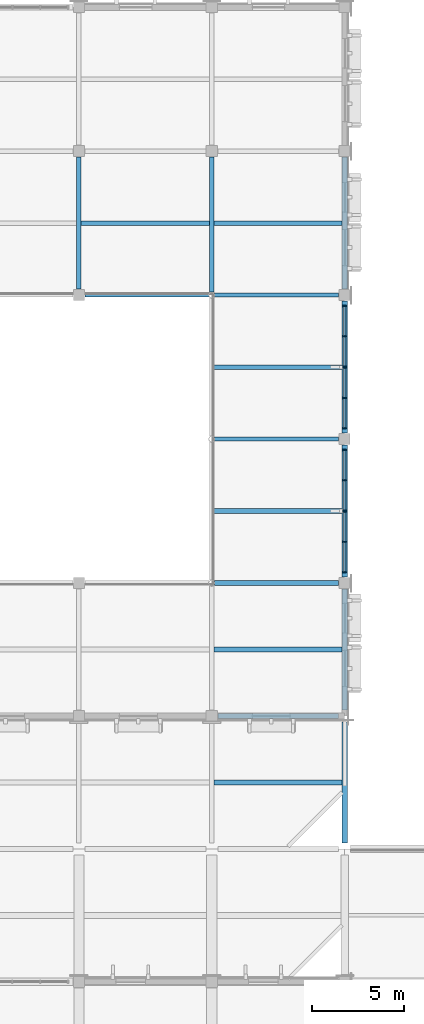
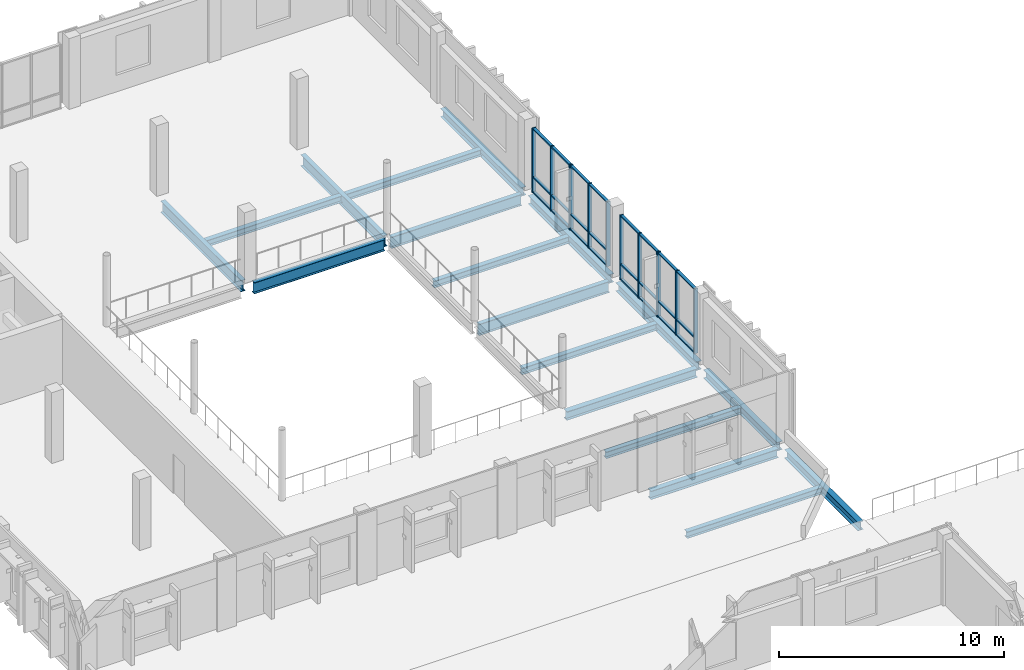
# One storey, part 15 of 64: 36 members, 18 beams, 4 elements without a shape of their own.
"""IFC4 building model written with IfcOpenShell, lengths in metres."""

from ifc_helpers import new_model, si_unit, direction, frame, origin, origin_2d, place, context, subcontext, project, spatial, rectangle, i_section, extrude, material, material_profile, profile_set, type_object, element, aggregate, save


model = new_model("IFC4")

# Units and contexts
model_context = context("Model", 3, precision=1e-05, world=origin(), true_north=direction((0.0, 1.0)))
body_context = subcontext(model_context, "Body", "Model", "MODEL_VIEW")
ifc_project = project(units=[si_unit("LENGTHUNIT", "METRE"), si_unit("AREAUNIT", "SQUARE_METRE"), si_unit("VOLUMEUNIT", "CUBIC_METRE"), si_unit("PLANEANGLEUNIT", "RADIAN"), si_unit("MASSUNIT", "GRAM", prefix="KILO")], contexts=[model_context])

# Site, building, storey
site_placement = place(None, origin())
site = spatial("IfcSite", under=ifc_project, at=site_placement, CompositionType="ELEMENT")
building_placement = place(site_placement, origin())
building = spatial("IfcBuilding", under=site, at=building_placement, Name="Vervanel Yard Central Library", CompositionType="ELEMENT")
storey_placement = place(building_placement, frame((0.0, 0.0, 8.93994140625)))
storey = spatial("IfcBuildingStorey", under=building, at=storey_placement, Name="L02", CompositionType="ELEMENT", Elevation=8.93994140625)

# Curtain wall, members
ifc_material_1 = material(Name="Thermally broken anodized aluminium 6063-T6", Category="aluminium")
curtain_wall_type = type_object("IfcCurtainWallType", Name="Atrium Courtyard Curtain Wall", PredefinedType="NOTDEFINED", material=ifc_material_1)
curtain_wall_1_placement = place(storey_placement, origin())
curtain_wall_1 = element("IfcCurtainWall", 1, at=curtain_wall_1_placement, inside=storey, type_object=curtain_wall_type, Name="L02 Atrium Courtyard Curtain Wall CWR-L02-033", PredefinedType="NOTDEFINED")
ifc_material_profile_1 = material_profile(ifc_material_1, rectangle(XDim=0.06494140625, YDim=0.18994140625, at=origin_2d()), Name="ALU 65x190", Category="aluminium")
ifc_profile_set_1 = profile_set([ifc_material_profile_1], Name="Thermally broken anodized aluminium 6063-T6")
member_type_1 = type_object("IfcMemberType", Name="Curtain Wall Primary Mullion 65x190", PredefinedType="MULLION", material=ifc_profile_set_1)
member_1_placement = place(storey_placement, frame((36.0, 43.79248046875, 0.0), z_axis=(0.0, 0.0, 1.0), x_axis=(0.0, 1.0, 0.0)))
member_1 = element("IfcMember", 2, at=member_1_placement, type_object=member_type_1, Name="CWR-L02-033 Mullion 1", PredefinedType="MULLION", context=body_context, shape_type="SweptSolid", body=[
    extrude(rectangle(XDim=0.06494140625, YDim=0.18994140625, at=origin_2d()), origin(), (0.0, 0.0, 1.0), 3.510009765625),
])
member_2_placement = place(storey_placement, frame((36.0, 45.429931640625, 0.0), z_axis=(0.0, 0.0, 1.0), x_axis=(0.0, 1.0, 0.0)))
member_2 = element("IfcMember", 3, at=member_2_placement, type_object=member_type_1, Name="CWR-L02-033 Mullion 2", PredefinedType="MULLION", context=body_context, shape_type="SweptSolid", body=[
    extrude(rectangle(XDim=0.06494140625, YDim=0.18994140625, at=origin_2d()), origin(), (0.0, 0.0, 1.0), 3.510009765625),
])
member_3_placement = place(storey_placement, frame((36.0, 47.0673828125, 0.0), z_axis=(0.0, 0.0, 1.0), x_axis=(0.0, 1.0, 0.0)))
member_3 = element("IfcMember", 4, at=member_3_placement, type_object=member_type_1, Name="CWR-L02-033 Mullion 3", PredefinedType="MULLION", context=body_context, shape_type="SweptSolid", body=[
    extrude(rectangle(XDim=0.06494140625, YDim=0.18994140625, at=origin_2d()), origin(), (0.0, 0.0, 1.0), 3.510009765625),
])

curtain_wall_2_placement = place(storey_placement, origin())
curtain_wall_2 = element("IfcCurtainWall", 5, at=curtain_wall_2_placement, inside=storey, type_object=curtain_wall_type, Name="L02 Atrium Courtyard Curtain Wall CWR-L02-034", PredefinedType="NOTDEFINED")
member_4_placement = place(storey_placement, frame((36.0, 47.132568359375, 0.0), z_axis=(0.0, 0.0, 1.0), x_axis=(0.0, 1.0, 0.0)))
member_4 = element("IfcMember", 6, at=member_4_placement, type_object=member_type_1, Name="CWR-L02-034 Mullion 1", PredefinedType="MULLION", context=body_context, shape_type="SweptSolid", body=[
    extrude(rectangle(XDim=0.06494140625, YDim=0.18994140625, at=origin_2d()), origin(), (0.0, 0.0, 1.0), 3.510009765625),
])
member_5_placement = place(storey_placement, frame((36.0, 48.77001953125, 0.0), z_axis=(0.0, 0.0, 1.0), x_axis=(0.0, 1.0, 0.0)))
member_5 = element("IfcMember", 7, at=member_5_placement, type_object=member_type_1, Name="CWR-L02-034 Mullion 2", PredefinedType="MULLION", context=body_context, shape_type="SweptSolid", body=[
    extrude(rectangle(XDim=0.06494140625, YDim=0.18994140625, at=origin_2d()), origin(), (0.0, 0.0, 1.0), 3.510009765625),
])
member_6_placement = place(storey_placement, frame((36.0, 50.407470703125, 0.0), z_axis=(0.0, 0.0, 1.0), x_axis=(0.0, 1.0, 0.0)))
member_6 = element("IfcMember", 8, at=member_6_placement, type_object=member_type_1, Name="CWR-L02-034 Mullion 3", PredefinedType="MULLION", context=body_context, shape_type="SweptSolid", body=[
    extrude(rectangle(XDim=0.06494140625, YDim=0.18994140625, at=origin_2d()), origin(), (0.0, 0.0, 1.0), 3.510009765625),
])

curtain_wall_3_placement = place(storey_placement, origin())
curtain_wall_3 = element("IfcCurtainWall", 9, at=curtain_wall_3_placement, inside=storey, type_object=curtain_wall_type, Name="L02 Atrium Courtyard Curtain Wall CWR-L02-035", PredefinedType="NOTDEFINED")
member_7_placement = place(storey_placement, frame((36.0, 51.592529296875, 0.0), z_axis=(0.0, 0.0, 1.0), x_axis=(0.0, 1.0, 0.0)))
member_7 = element("IfcMember", 10, at=member_7_placement, type_object=member_type_1, Name="CWR-L02-035 Mullion 1", PredefinedType="MULLION", context=body_context, shape_type="SweptSolid", body=[
    extrude(rectangle(XDim=0.06494140625, YDim=0.18994140625, at=origin_2d()), origin(), (0.0, 0.0, 1.0), 3.510009765625),
])
member_8_placement = place(storey_placement, frame((36.0, 53.22998046875, 0.0), z_axis=(0.0, 0.0, 1.0), x_axis=(0.0, 1.0, 0.0)))
member_8 = element("IfcMember", 11, at=member_8_placement, type_object=member_type_1, Name="CWR-L02-035 Mullion 2", PredefinedType="MULLION", context=body_context, shape_type="SweptSolid", body=[
    extrude(rectangle(XDim=0.06494140625, YDim=0.18994140625, at=origin_2d()), origin(), (0.0, 0.0, 1.0), 3.510009765625),
])
member_9_placement = place(storey_placement, frame((36.0, 54.867431640625, 0.0), z_axis=(0.0, 0.0, 1.0), x_axis=(0.0, 1.0, 0.0)))
member_9 = element("IfcMember", 12, at=member_9_placement, type_object=member_type_1, Name="CWR-L02-035 Mullion 3", PredefinedType="MULLION", context=body_context, shape_type="SweptSolid", body=[
    extrude(rectangle(XDim=0.06494140625, YDim=0.18994140625, at=origin_2d()), origin(), (0.0, 0.0, 1.0), 3.510009765625),
])

curtain_wall_4_placement = place(storey_placement, origin())
curtain_wall_4 = element("IfcCurtainWall", 13, at=curtain_wall_4_placement, inside=storey, type_object=curtain_wall_type, Name="L02 Atrium Courtyard Curtain Wall CWR-L02-036", PredefinedType="NOTDEFINED")
member_10_placement = place(storey_placement, frame((36.0, 54.9326171875, 0.0), z_axis=(0.0, 0.0, 1.0), x_axis=(0.0, 1.0, 0.0)))
member_10 = element("IfcMember", 14, at=member_10_placement, type_object=member_type_1, Name="CWR-L02-036 Mullion 1", PredefinedType="MULLION", context=body_context, shape_type="SweptSolid", body=[
    extrude(rectangle(XDim=0.06494140625, YDim=0.18994140625, at=origin_2d()), origin(), (0.0, 0.0, 1.0), 3.510009765625),
])
member_11_placement = place(storey_placement, frame((36.0, 56.570068359375, 0.0), z_axis=(0.0, 0.0, 1.0), x_axis=(0.0, 1.0, 0.0)))
member_11 = element("IfcMember", 15, at=member_11_placement, type_object=member_type_1, Name="CWR-L02-036 Mullion 2", PredefinedType="MULLION", context=body_context, shape_type="SweptSolid", body=[
    extrude(rectangle(XDim=0.06494140625, YDim=0.18994140625, at=origin_2d()), origin(), (0.0, 0.0, 1.0), 3.510009765625),
])
member_12_placement = place(storey_placement, frame((36.0, 58.20751953125, 0.0), z_axis=(0.0, 0.0, 1.0), x_axis=(0.0, 1.0, 0.0)))
member_12 = element("IfcMember", 16, at=member_12_placement, type_object=member_type_1, Name="CWR-L02-036 Mullion 3", PredefinedType="MULLION", context=body_context, shape_type="SweptSolid", body=[
    extrude(rectangle(XDim=0.06494140625, YDim=0.18994140625, at=origin_2d()), origin(), (0.0, 0.0, 1.0), 3.510009765625),
])

# Member
ifc_material_profile_2 = material_profile(ifc_material_1, rectangle(XDim=0.06494140625, YDim=0.139892578125, at=origin_2d()), Name="ALU 65x140", Category="aluminium")
ifc_profile_set_2 = profile_set([ifc_material_profile_2], Name="Thermally broken anodized aluminium 6063-T6")
member_type_2 = type_object("IfcMemberType", Name="Curtain Wall Transom 65x140", PredefinedType="NOTDEFINED", material=ifc_profile_set_2)
member_13_placement = place(storey_placement, frame((36.0, 43.824951171875, 0.032470703125), z_axis=(0.0, 1.0, 0.0), x_axis=(0.0, 0.0, 1.0)))
member_13 = element("IfcMember", 17, at=member_13_placement, type_object=member_type_2, Name="CWR-L02-033 Transom B1-T1", ObjectType="TRANSOM", PredefinedType="USERDEFINED", context=body_context, shape_type="SweptSolid", body=[
    extrude(rectangle(XDim=0.06494140625, YDim=0.139892578125, at=origin_2d()), origin(), (0.0, 0.0, 1.0), 1.572509765625),
])

member_14_placement = place(storey_placement, frame((36.0, 43.824951171875, 0.85009765625), z_axis=(0.0, 1.0, 0.0), x_axis=(0.0, 0.0, 1.0)))
member_14 = element("IfcMember", 18, at=member_14_placement, type_object=member_type_2, Name="CWR-L02-033 Transom B1-T2", ObjectType="TRANSOM", PredefinedType="USERDEFINED", context=body_context, shape_type="SweptSolid", body=[
    extrude(rectangle(XDim=0.06494140625, YDim=0.139892578125, at=origin_2d()), origin(), (0.0, 0.0, 1.0), 1.572509765625),
])

member_15_placement = place(storey_placement, frame((36.0, 43.824951171875, 3.4775390625), z_axis=(0.0, 1.0, 0.0), x_axis=(0.0, 0.0, 1.0)))
member_15 = element("IfcMember", 19, at=member_15_placement, type_object=member_type_2, Name="CWR-L02-033 Transom B1-T3", ObjectType="TRANSOM", PredefinedType="USERDEFINED", context=body_context, shape_type="SweptSolid", body=[
    extrude(rectangle(XDim=0.06494140625, YDim=0.139892578125, at=origin_2d()), origin(), (0.0, 0.0, 1.0), 1.572509765625),
])

member_16_placement = place(storey_placement, frame((36.0, 45.46240234375, 0.032470703125), z_axis=(0.0, 1.0, 0.0), x_axis=(0.0, 0.0, 1.0)))
member_16 = element("IfcMember", 20, at=member_16_placement, type_object=member_type_2, Name="CWR-L02-033 Transom B2-T1", ObjectType="TRANSOM", PredefinedType="USERDEFINED", context=body_context, shape_type="SweptSolid", body=[
    extrude(rectangle(XDim=0.06494140625, YDim=0.139892578125, at=origin_2d()), origin(), (0.0, 0.0, 1.0), 1.572509765625),
])

member_17_placement = place(storey_placement, frame((36.0, 45.46240234375, 0.85009765625), z_axis=(0.0, 1.0, 0.0), x_axis=(0.0, 0.0, 1.0)))
member_17 = element("IfcMember", 21, at=member_17_placement, type_object=member_type_2, Name="CWR-L02-033 Transom B2-T2", ObjectType="TRANSOM", PredefinedType="USERDEFINED", context=body_context, shape_type="SweptSolid", body=[
    extrude(rectangle(XDim=0.06494140625, YDim=0.139892578125, at=origin_2d()), origin(), (0.0, 0.0, 1.0), 1.572509765625),
])

member_18_placement = place(storey_placement, frame((36.0, 45.46240234375, 3.4775390625), z_axis=(0.0, 1.0, 0.0), x_axis=(0.0, 0.0, 1.0)))
member_18 = element("IfcMember", 22, at=member_18_placement, type_object=member_type_2, Name="CWR-L02-033 Transom B2-T3", ObjectType="TRANSOM", PredefinedType="USERDEFINED", context=body_context, shape_type="SweptSolid", body=[
    extrude(rectangle(XDim=0.06494140625, YDim=0.139892578125, at=origin_2d()), origin(), (0.0, 0.0, 1.0), 1.572509765625),
])

aggregate(curtain_wall_1, [member_1, member_2, member_3, member_13, member_14, member_15, member_16, member_17, member_18])

member_19_placement = place(storey_placement, frame((36.0, 47.1650390625, 0.032470703125), z_axis=(0.0, 1.0, 0.0), x_axis=(0.0, 0.0, 1.0)))
member_19 = element("IfcMember", 23, at=member_19_placement, type_object=member_type_2, Name="CWR-L02-034 Transom B1-T1", ObjectType="TRANSOM", PredefinedType="USERDEFINED", context=body_context, shape_type="SweptSolid", body=[
    extrude(rectangle(XDim=0.06494140625, YDim=0.139892578125, at=origin_2d()), origin(), (0.0, 0.0, 1.0), 1.572509765625),
])

member_20_placement = place(storey_placement, frame((36.0, 47.1650390625, 0.85009765625), z_axis=(0.0, 1.0, 0.0), x_axis=(0.0, 0.0, 1.0)))
member_20 = element("IfcMember", 24, at=member_20_placement, type_object=member_type_2, Name="CWR-L02-034 Transom B1-T2", ObjectType="TRANSOM", PredefinedType="USERDEFINED", context=body_context, shape_type="SweptSolid", body=[
    extrude(rectangle(XDim=0.06494140625, YDim=0.139892578125, at=origin_2d()), origin(), (0.0, 0.0, 1.0), 1.572509765625),
])

member_21_placement = place(storey_placement, frame((36.0, 47.1650390625, 3.4775390625), z_axis=(0.0, 1.0, 0.0), x_axis=(0.0, 0.0, 1.0)))
member_21 = element("IfcMember", 25, at=member_21_placement, type_object=member_type_2, Name="CWR-L02-034 Transom B1-T3", ObjectType="TRANSOM", PredefinedType="USERDEFINED", context=body_context, shape_type="SweptSolid", body=[
    extrude(rectangle(XDim=0.06494140625, YDim=0.139892578125, at=origin_2d()), origin(), (0.0, 0.0, 1.0), 1.572509765625),
])

member_22_placement = place(storey_placement, frame((36.0, 48.802490234375, 0.032470703125), z_axis=(0.0, 1.0, 0.0), x_axis=(0.0, 0.0, 1.0)))
member_22 = element("IfcMember", 26, at=member_22_placement, type_object=member_type_2, Name="CWR-L02-034 Transom B2-T1", ObjectType="TRANSOM", PredefinedType="USERDEFINED", context=body_context, shape_type="SweptSolid", body=[
    extrude(rectangle(XDim=0.06494140625, YDim=0.139892578125, at=origin_2d()), origin(), (0.0, 0.0, 1.0), 1.572509765625),
])

member_23_placement = place(storey_placement, frame((36.0, 48.802490234375, 0.85009765625), z_axis=(0.0, 1.0, 0.0), x_axis=(0.0, 0.0, 1.0)))
member_23 = element("IfcMember", 27, at=member_23_placement, type_object=member_type_2, Name="CWR-L02-034 Transom B2-T2", ObjectType="TRANSOM", PredefinedType="USERDEFINED", context=body_context, shape_type="SweptSolid", body=[
    extrude(rectangle(XDim=0.06494140625, YDim=0.139892578125, at=origin_2d()), origin(), (0.0, 0.0, 1.0), 1.572509765625),
])

member_24_placement = place(storey_placement, frame((36.0, 48.802490234375, 3.4775390625), z_axis=(0.0, 1.0, 0.0), x_axis=(0.0, 0.0, 1.0)))
member_24 = element("IfcMember", 28, at=member_24_placement, type_object=member_type_2, Name="CWR-L02-034 Transom B2-T3", ObjectType="TRANSOM", PredefinedType="USERDEFINED", context=body_context, shape_type="SweptSolid", body=[
    extrude(rectangle(XDim=0.06494140625, YDim=0.139892578125, at=origin_2d()), origin(), (0.0, 0.0, 1.0), 1.572509765625),
])

aggregate(curtain_wall_2, [member_4, member_5, member_6, member_19, member_20, member_21, member_22, member_23, member_24])

member_25_placement = place(storey_placement, frame((36.0, 51.625, 0.032470703125), z_axis=(0.0, 1.0, 0.0), x_axis=(0.0, 0.0, 1.0)))
member_25 = element("IfcMember", 29, at=member_25_placement, type_object=member_type_2, Name="CWR-L02-035 Transom B1-T1", ObjectType="TRANSOM", PredefinedType="USERDEFINED", context=body_context, shape_type="SweptSolid", body=[
    extrude(rectangle(XDim=0.06494140625, YDim=0.139892578125, at=origin_2d()), origin(), (0.0, 0.0, 1.0), 1.572509765625),
])

member_26_placement = place(storey_placement, frame((36.0, 51.625, 0.85009765625), z_axis=(0.0, 1.0, 0.0), x_axis=(0.0, 0.0, 1.0)))
member_26 = element("IfcMember", 30, at=member_26_placement, type_object=member_type_2, Name="CWR-L02-035 Transom B1-T2", ObjectType="TRANSOM", PredefinedType="USERDEFINED", context=body_context, shape_type="SweptSolid", body=[
    extrude(rectangle(XDim=0.06494140625, YDim=0.139892578125, at=origin_2d()), origin(), (0.0, 0.0, 1.0), 1.572509765625),
])

member_27_placement = place(storey_placement, frame((36.0, 51.625, 3.4775390625), z_axis=(0.0, 1.0, 0.0), x_axis=(0.0, 0.0, 1.0)))
member_27 = element("IfcMember", 31, at=member_27_placement, type_object=member_type_2, Name="CWR-L02-035 Transom B1-T3", ObjectType="TRANSOM", PredefinedType="USERDEFINED", context=body_context, shape_type="SweptSolid", body=[
    extrude(rectangle(XDim=0.06494140625, YDim=0.139892578125, at=origin_2d()), origin(), (0.0, 0.0, 1.0), 1.572509765625),
])

member_28_placement = place(storey_placement, frame((36.0, 53.262451171875, 0.032470703125), z_axis=(0.0, 1.0, 0.0), x_axis=(0.0, 0.0, 1.0)))
member_28 = element("IfcMember", 32, at=member_28_placement, type_object=member_type_2, Name="CWR-L02-035 Transom B2-T1", ObjectType="TRANSOM", PredefinedType="USERDEFINED", context=body_context, shape_type="SweptSolid", body=[
    extrude(rectangle(XDim=0.06494140625, YDim=0.139892578125, at=origin_2d()), origin(), (0.0, 0.0, 1.0), 1.572509765625),
])

member_29_placement = place(storey_placement, frame((36.0, 53.262451171875, 0.85009765625), z_axis=(0.0, 1.0, 0.0), x_axis=(0.0, 0.0, 1.0)))
member_29 = element("IfcMember", 33, at=member_29_placement, type_object=member_type_2, Name="CWR-L02-035 Transom B2-T2", ObjectType="TRANSOM", PredefinedType="USERDEFINED", context=body_context, shape_type="SweptSolid", body=[
    extrude(rectangle(XDim=0.06494140625, YDim=0.139892578125, at=origin_2d()), origin(), (0.0, 0.0, 1.0), 1.572509765625),
])

member_30_placement = place(storey_placement, frame((36.0, 53.262451171875, 3.4775390625), z_axis=(0.0, 1.0, 0.0), x_axis=(0.0, 0.0, 1.0)))
member_30 = element("IfcMember", 34, at=member_30_placement, type_object=member_type_2, Name="CWR-L02-035 Transom B2-T3", ObjectType="TRANSOM", PredefinedType="USERDEFINED", context=body_context, shape_type="SweptSolid", body=[
    extrude(rectangle(XDim=0.06494140625, YDim=0.139892578125, at=origin_2d()), origin(), (0.0, 0.0, 1.0), 1.572509765625),
])

aggregate(curtain_wall_3, [member_7, member_8, member_9, member_25, member_26, member_27, member_28, member_29, member_30])

member_31_placement = place(storey_placement, frame((36.0, 54.965087890625, 0.032470703125), z_axis=(0.0, 1.0, 0.0), x_axis=(0.0, 0.0, 1.0)))
member_31 = element("IfcMember", 35, at=member_31_placement, type_object=member_type_2, Name="CWR-L02-036 Transom B1-T1", ObjectType="TRANSOM", PredefinedType="USERDEFINED", context=body_context, shape_type="SweptSolid", body=[
    extrude(rectangle(XDim=0.06494140625, YDim=0.139892578125, at=origin_2d()), origin(), (0.0, 0.0, 1.0), 1.572509765625),
])

member_32_placement = place(storey_placement, frame((36.0, 54.965087890625, 0.85009765625), z_axis=(0.0, 1.0, 0.0), x_axis=(0.0, 0.0, 1.0)))
member_32 = element("IfcMember", 36, at=member_32_placement, type_object=member_type_2, Name="CWR-L02-036 Transom B1-T2", ObjectType="TRANSOM", PredefinedType="USERDEFINED", context=body_context, shape_type="SweptSolid", body=[
    extrude(rectangle(XDim=0.06494140625, YDim=0.139892578125, at=origin_2d()), origin(), (0.0, 0.0, 1.0), 1.572509765625),
])

member_33_placement = place(storey_placement, frame((36.0, 54.965087890625, 3.4775390625), z_axis=(0.0, 1.0, 0.0), x_axis=(0.0, 0.0, 1.0)))
member_33 = element("IfcMember", 37, at=member_33_placement, type_object=member_type_2, Name="CWR-L02-036 Transom B1-T3", ObjectType="TRANSOM", PredefinedType="USERDEFINED", context=body_context, shape_type="SweptSolid", body=[
    extrude(rectangle(XDim=0.06494140625, YDim=0.139892578125, at=origin_2d()), origin(), (0.0, 0.0, 1.0), 1.572509765625),
])

member_34_placement = place(storey_placement, frame((36.0, 56.6025390625, 0.032470703125), z_axis=(0.0, 1.0, 0.0), x_axis=(0.0, 0.0, 1.0)))
member_34 = element("IfcMember", 38, at=member_34_placement, type_object=member_type_2, Name="CWR-L02-036 Transom B2-T1", ObjectType="TRANSOM", PredefinedType="USERDEFINED", context=body_context, shape_type="SweptSolid", body=[
    extrude(rectangle(XDim=0.06494140625, YDim=0.139892578125, at=origin_2d()), origin(), (0.0, 0.0, 1.0), 1.572509765625),
])

member_35_placement = place(storey_placement, frame((36.0, 56.6025390625, 0.85009765625), z_axis=(0.0, 1.0, 0.0), x_axis=(0.0, 0.0, 1.0)))
member_35 = element("IfcMember", 39, at=member_35_placement, type_object=member_type_2, Name="CWR-L02-036 Transom B2-T2", ObjectType="TRANSOM", PredefinedType="USERDEFINED", context=body_context, shape_type="SweptSolid", body=[
    extrude(rectangle(XDim=0.06494140625, YDim=0.139892578125, at=origin_2d()), origin(), (0.0, 0.0, 1.0), 1.572509765625),
])

member_36_placement = place(storey_placement, frame((36.0, 56.6025390625, 3.4775390625), z_axis=(0.0, 1.0, 0.0), x_axis=(0.0, 0.0, 1.0)))
member_36 = element("IfcMember", 40, at=member_36_placement, type_object=member_type_2, Name="CWR-L02-036 Transom B2-T3", ObjectType="TRANSOM", PredefinedType="USERDEFINED", context=body_context, shape_type="SweptSolid", body=[
    extrude(rectangle(XDim=0.06494140625, YDim=0.139892578125, at=origin_2d()), origin(), (0.0, 0.0, 1.0), 1.572509765625),
])

aggregate(curtain_wall_4, [member_10, member_11, member_12, member_31, member_32, member_33, member_34, member_35, member_36])

# Beams
ifc_material_2 = material(Name="Steel ASTM A992 Grade 50", Category="steel")
ifc_material_profile_3 = material_profile(ifc_material_2, i_section(OverallWidth=0.25390625, OverallDepth=0.355712890625, WebThickness=0.010498046875, FlangeThickness=0.018310546875, at=origin_2d()), Name="W14X68", Category="steel")
ifc_profile_set_3 = profile_set([ifc_material_profile_3], Name="Steel ASTM A992 Grade 50")
beam_type_1 = type_object("IfcBeamType", Name="Steel Atrium Edge Joist W14X68", PredefinedType="JOIST", material=ifc_profile_set_3)
beam_1_placement = place(storey_placement, frame((21.714599609375, 62.699951171875, -0.462646484375), z_axis=(1.0, 0.0, 0.0), x_axis=(0.0, 1.0, 0.0)))
element("IfcBeam", 41, at=beam_1_placement, inside=storey, type_object=beam_type_1, Name="L02 Floor Joist SJ-06 Y=62.70 X=21.6-28.8", PredefinedType="JOIST", context=body_context, shape_type="SweptSolid", body=[
    extrude(i_section(OverallWidth=0.25390625, OverallDepth=0.355712890625, WebThickness=0.010498046875, FlangeThickness=0.018310546875, at=origin_2d()), origin(), (0.0, 0.0, 1.0), 6.970703125),
])
for number, where, z_axis, x_axis, name in (
    (42, (28.91455078125, 32.39990234375, -0.432861328125), (1.0, 0.0, 0.0), (0.0, 1.0, 0.0), "L02 Floor Joist SJ-06 Y=32.40 X=28.8-36.0"),
    (43, (28.91455078125, 39.60009765625, -0.462646484375), (1.0, 0.0, 0.0), (0.0, 1.0, 0.0), "L02 Floor Joist SJ-06 Y=39.60 X=28.8-36.0"),
    (44, (28.91455078125, 47.10009765625, -0.462646484375), (1.0, 0.0, 0.0), (0.0, 1.0, 0.0), "L02 Floor Joist SJ-06 Y=47.10 X=28.8-36.0"),
    (45, (28.91455078125, 54.89990234375, -0.462646484375), (1.0, 0.0, 0.0), (0.0, 1.0, 0.0), "L02 Floor Joist SJ-06 Y=54.90 X=28.8-36.0"),
    (46, (28.91455078125, 62.699951171875, -0.462646484375), (1.0, 0.0, 0.0), (0.0, 1.0, 0.0), "L02 Floor Joist SJ-06 Y=62.70 X=28.8-36.0"),
):
    element("IfcBeam", number, at=place(storey_placement, frame(where, z_axis=z_axis, x_axis=x_axis)), inside=storey, type_object=beam_type_1, Name=name, PredefinedType="JOIST", context=body_context, shape_type="SweptSolid", body=[
        extrude(i_section(OverallWidth=0.25390625, OverallDepth=0.355712890625, WebThickness=0.010498046875, FlangeThickness=0.018310546875, at=origin_2d()), origin(), (0.0, 0.0, 1.0), 6.9443359375),
    ])
ifc_material_profile_4 = material_profile(ifc_material_2, i_section(OverallWidth=0.22900390625, OverallDepth=0.612060546875, WebThickness=0.011962890625, FlangeThickness=0.01953125, at=origin_2d()), Name="W24X84", Category="steel")
ifc_profile_set_4 = profile_set([ifc_material_profile_4], Name="Steel ASTM A992 Grade 50")
beam_type_2 = type_object("IfcBeamType", Name="Steel Primary Girder W24X84", PredefinedType="BEAM", material=ifc_profile_set_4)
for number, where, z_axis, x_axis, name in (
    (47, (28.9619140625, 51.0, -0.591064453125), (1.0, 0.0, 0.0), (0.0, 1.0, 0.0), "L02 Girder SB-01 Y=51.0 X=28.8-36.0"),
    (48, (21.925048828125, 58.800048828125, -0.591064453125), (1.0, 0.0, 0.0), (0.0, 1.0, 0.0), "L02 Girder SB-01 Y=58.8 X=21.6-28.8"),
    (49, (28.9619140625, 58.800048828125, -0.591064453125), (1.0, 0.0, 0.0), (0.0, 1.0, 0.0), "L02 Girder SB-01 Y=58.8 X=28.8-36.0"),
):
    element("IfcBeam", number, at=place(storey_placement, frame(where, z_axis=z_axis, x_axis=x_axis)), inside=storey, type_object=beam_type_2, Name=name, PredefinedType="BEAM", context=body_context, shape_type="SweptSolid", body=[
        extrude(i_section(OverallWidth=0.22900390625, OverallDepth=0.612060546875, WebThickness=0.011962890625, FlangeThickness=0.01953125, at=origin_2d()), origin(), (0.0, 0.0, 1.0), 6.713134765625),
    ])
beam_2_placement = place(storey_placement, frame((21.60009765625, 59.125, -0.591064453125), z_axis=(0.0, 1.0, 0.0), x_axis=(-1.0, 0.0, 0.0)))
element("IfcBeam", 50, at=beam_2_placement, inside=storey, type_object=beam_type_2, Name="L02 Girder SB-01 X=21.6 Y=58.8-66.6", PredefinedType="BEAM", context=body_context, shape_type="SweptSolid", body=[
    extrude(i_section(OverallWidth=0.22900390625, OverallDepth=0.612060546875, WebThickness=0.011962890625, FlangeThickness=0.01953125, at=origin_2d()), origin(), (0.0, 0.0, 1.0), 7.14990234375),
])
beam_3_placement = place(storey_placement, frame((28.800048828125, 58.9619140625, -0.591064453125), z_axis=(0.0, 1.0, 0.0), x_axis=(-1.0, 0.0, 0.0)))
element("IfcBeam", 51, at=beam_3_placement, inside=storey, type_object=beam_type_2, Name="L02 Girder SB-01 X=28.8 Y=58.8-66.6", PredefinedType="BEAM", context=body_context, shape_type="SweptSolid", body=[
    extrude(i_section(OverallWidth=0.22900390625, OverallDepth=0.612060546875, WebThickness=0.011962890625, FlangeThickness=0.01953125, at=origin_2d()), origin(), (0.0, 0.0, 1.0), 7.31298828125),
])
ifc_material_profile_5 = material_profile(ifc_material_2, i_section(OverallWidth=0.281982421875, OverallDepth=0.46728515625, WebThickness=0.01220703125, FlangeThickness=0.01953125, at=origin_2d()), Name="W18X86", Category="steel")
ifc_profile_set_5 = profile_set([ifc_material_profile_5], Name="Steel ASTM A992 Grade 50")
beam_type_3 = type_object("IfcBeamType", Name="Steel Spandrel Beam W18X86", PredefinedType="SPANDREL", material=ifc_profile_set_5)
beam_4_placement = place(storey_placement, frame((29.125, 36.0, -0.5185546875), z_axis=(1.0, 0.0, 0.0), x_axis=(0.0, 1.0, 0.0)))
element("IfcBeam", 52, at=beam_4_placement, inside=storey, type_object=beam_type_3, Name="L02 Girder SP-02 Y=36.0 X=28.8-36.0", PredefinedType="SPANDREL", context=body_context, shape_type="SweptSolid", body=[
    extrude(i_section(OverallWidth=0.281982421875, OverallDepth=0.46728515625, WebThickness=0.01220703125, FlangeThickness=0.01953125, at=origin_2d()), origin(), (0.0, 0.0, 1.0), 6.550048828125),
])
beam_5_placement = place(storey_placement, frame((28.9619140625, 43.199951171875, -0.5185546875), z_axis=(1.0, 0.0, 0.0), x_axis=(0.0, 1.0, 0.0)))
element("IfcBeam", 53, at=beam_5_placement, inside=storey, type_object=beam_type_3, Name="L02 Girder SP-02 Y=43.2 X=28.8-36.0", PredefinedType="SPANDREL", context=body_context, shape_type="SweptSolid", body=[
    extrude(i_section(OverallWidth=0.281982421875, OverallDepth=0.46728515625, WebThickness=0.01220703125, FlangeThickness=0.01953125, at=origin_2d()), origin(), (0.0, 0.0, 1.0), 6.713134765625),
])
for number, where, z_axis, x_axis, name in (
    (54, (36.0, 29.125, -0.488525390625), (0.0, 1.0, 0.0), (-1.0, 0.0, 0.0), "L02 Girder SP-02 X=36.0 Y=28.8-36.0"),
    (55, (36.0, 36.324951171875, -0.5185546875), (0.0, 1.0, 0.0), (-1.0, 0.0, 0.0), "L02 Girder SP-02 X=36.0 Y=36.0-43.2"),
):
    element("IfcBeam", number, at=place(storey_placement, frame(where, z_axis=z_axis, x_axis=x_axis)), inside=storey, type_object=beam_type_3, Name=name, PredefinedType="SPANDREL", context=body_context, shape_type="SweptSolid", body=[
        extrude(i_section(OverallWidth=0.281982421875, OverallDepth=0.46728515625, WebThickness=0.01220703125, FlangeThickness=0.01953125, at=origin_2d()), origin(), (0.0, 0.0, 1.0), 6.550048828125),
    ])
for number, where, z_axis, x_axis, name in (
    (56, (36.0, 43.52490234375, -0.5185546875), (0.0, 1.0, 0.0), (-1.0, 0.0, 0.0), "L02 Girder SP-02 X=36.0 Y=43.2-51.0"),
    (57, (36.0, 51.324951171875, -0.5185546875), (0.0, 1.0, 0.0), (-1.0, 0.0, 0.0), "L02 Girder SP-02 X=36.0 Y=51.0-58.8"),
):
    element("IfcBeam", number, at=place(storey_placement, frame(where, z_axis=z_axis, x_axis=x_axis)), inside=storey, type_object=beam_type_3, Name=name, PredefinedType="SPANDREL", context=body_context, shape_type="SweptSolid", body=[
        extrude(i_section(OverallWidth=0.281982421875, OverallDepth=0.46728515625, WebThickness=0.01220703125, FlangeThickness=0.01953125, at=origin_2d()), origin(), (0.0, 0.0, 1.0), 7.150146484375),
    ])
beam_6_placement = place(storey_placement, frame((36.0, 59.125, -0.5185546875), z_axis=(0.0, 1.0, 0.0), x_axis=(-1.0, 0.0, 0.0)))
element("IfcBeam", 58, at=beam_6_placement, inside=storey, type_object=beam_type_3, Name="L02 Girder SP-02 X=36.0 Y=58.8-66.6", PredefinedType="SPANDREL", context=body_context, shape_type="SweptSolid", body=[
    extrude(i_section(OverallWidth=0.281982421875, OverallDepth=0.46728515625, WebThickness=0.01220703125, FlangeThickness=0.01953125, at=origin_2d()), origin(), (0.0, 0.0, 1.0), 7.14990234375),
])

save(model, "model.ifc")
